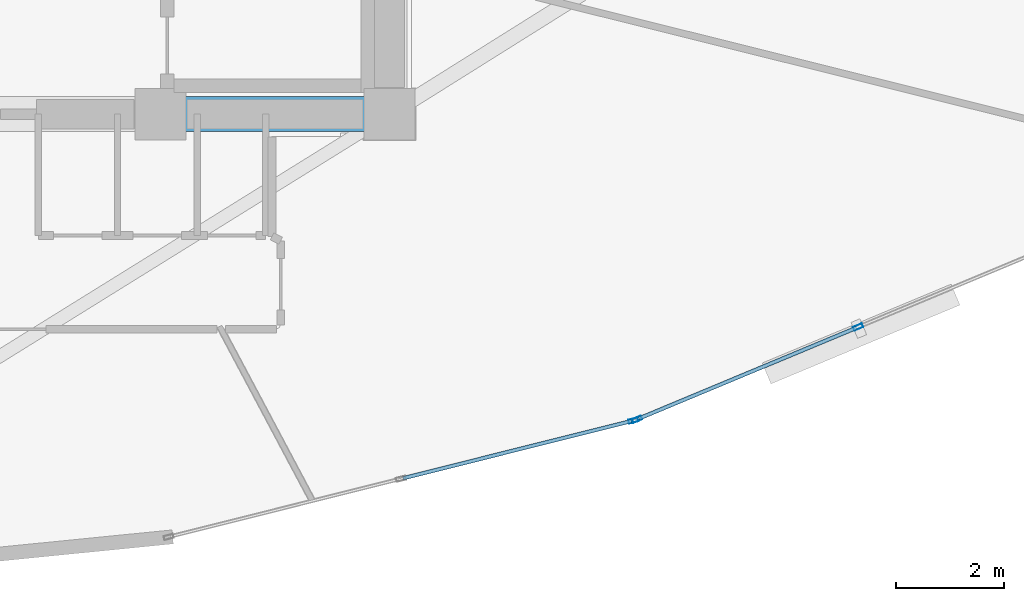
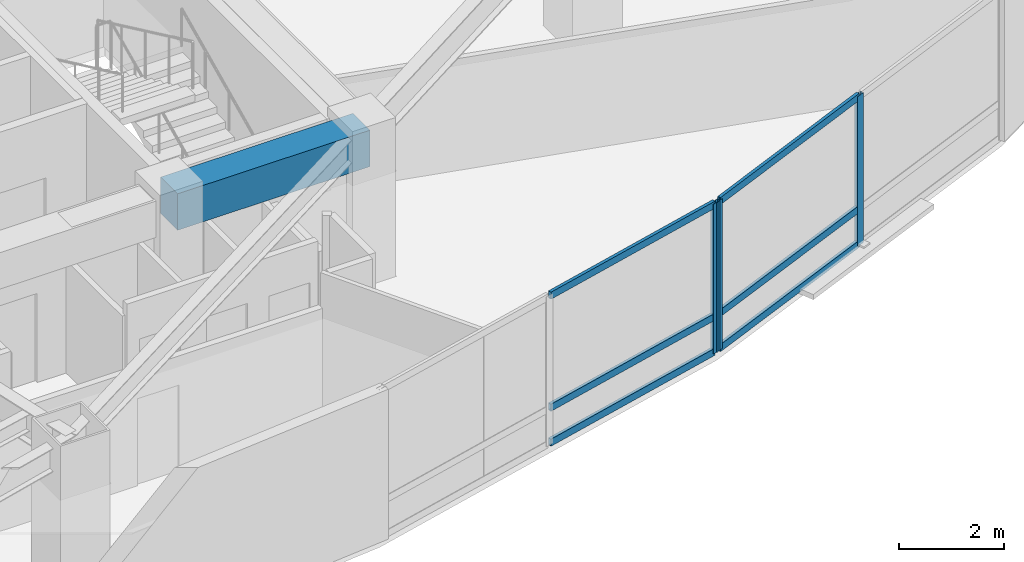
# One storey, part 5 of 18: 9 members, 1 beam, 2 elements without a shape of their own.
"""IFC4 building model written with IfcOpenShell, lengths in metres."""

import ifcopenshell
import ifcopenshell.guid

model = None  # the IFC model being written
_history = None  # IfcOwnerHistory: only IFC2X3 demands one
_inside = {}  # id of a spatial element -> (the spatial element, [elements in it])
_under = {}  # id of a project, library or spatial element -> (it, [spatial elements below it])
_declared = {}  # id of a project -> (the project, [libraries it declares])
_typed = {}  # id of a type object -> (the type object, [elements of that type])
_made_of = {}  # id of a material, layer set ... -> (it, [elements and type objects made of it])


def new_model(schema):
    """Start an empty IFC model of exactly this schema.

    Asked for "IFC4X3", IfcOpenShell would pick the latest addendum, in which some entities
    have other attributes; the version numbers below select the first issue.
    IFC2X3 requires an IfcOwnerHistory on every rooted entity: one is made here for all.
    """
    global model, _history
    if schema == "IFC4X3":
        model = ifcopenshell.file(schema_version=(4, 3, 0, 0))
    else:
        model = ifcopenshell.file(schema=schema)
    _inside.clear()
    _under.clear()
    _declared.clear()
    _typed.clear()
    _made_of.clear()
    _history = None
    if model.schema == "IFC2X3":
        org = make("IfcOrganization", Name="unknown")
        user = make(
            "IfcPersonAndOrganization",
            ThePerson=make("IfcPerson", FamilyName="unknown"),
            TheOrganization=org,
        )
        app = make(
            "IfcApplication",
            ApplicationDeveloper=org,
            Version="unknown",
            ApplicationFullName="unknown",
            ApplicationIdentifier="unknown",
        )
        _history = make(
            "IfcOwnerHistory",
            OwningUser=user,
            OwningApplication=app,
            ChangeAction="ADDED",
            CreationDate=0,
        )
    return model


def make(cls, **values):
    """One entity of the class cls with the attributes given. An attribute that is None is left unset."""
    return model.create_entity(
        cls, **{name: value for name, value in values.items() if value is not None}
    )


def rooted(cls, **values):
    """An entity with a GlobalId (a new one), such as an element, a storey or a relation."""
    return make(cls, GlobalId=ifcopenshell.guid.new(), OwnerHistory=_history, **values)


def si_unit(unit_type, name, prefix=None):
    """IfcSIUnit, for example si_unit("LENGTHUNIT", "METRE", prefix="MILLI")."""
    return make("IfcSIUnit", UnitType=unit_type, Prefix=prefix, Name=name)


def assignment(units):
    """IfcUnitAssignment: the units of a project."""
    return None if units is None else make("IfcUnitAssignment", Units=units)


def point(xyz):
    """IfcCartesianPoint."""
    return None if xyz is None else make("IfcCartesianPoint", Coordinates=xyz)


def direction(xyz):
    """IfcDirection."""
    return None if xyz is None else make("IfcDirection", DirectionRatios=xyz)


def frame(location, z_axis=None, x_axis=None):
    """IfcAxis2Placement3D, a coordinate frame: its origin and axes. An axis left out is left unset."""
    return make(
        "IfcAxis2Placement3D",
        Location=point(location),
        Axis=direction(z_axis),
        RefDirection=direction(x_axis),
    )


def frame_2d(location, x_axis=None):
    """IfcAxis2Placement2D, a coordinate frame in the plane: its origin and x axis."""
    return make(
        "IfcAxis2Placement2D", Location=point(location), RefDirection=direction(x_axis)
    )


def origin():
    """The frame at (0, 0, 0) with its axes left unset."""
    return frame((0.0, 0.0, 0.0))


def origin_2d():
    """The frame at (0, 0) in the plane with its x axis left unset."""
    return frame_2d((0.0, 0.0))


def place(relative_to, where):
    """IfcLocalPlacement: puts the frame where relative to a parent placement (None: the world)."""
    return make(
        "IfcLocalPlacement", PlacementRelTo=relative_to, RelativePlacement=where
    )


def context(
    kind, dimensions, precision=None, world=None, true_north=None, identifier=None
):
    """IfcGeometricRepresentationContext, for example the 3D "Model" context."""
    return make(
        "IfcGeometricRepresentationContext",
        ContextIdentifier=identifier,
        ContextType=kind,
        CoordinateSpaceDimension=dimensions,
        Precision=precision,
        WorldCoordinateSystem=world,
        TrueNorth=true_north,
    )


def subcontext(parent, identifier, kind, view, scale=None):
    """IfcGeometricRepresentationSubContext, for example "Body" below "Model"."""
    return make(
        "IfcGeometricRepresentationSubContext",
        ContextIdentifier=identifier,
        ContextType=kind,
        ParentContext=parent,
        TargetScale=scale,
        TargetView=view,
    )


def project(units=None, contexts=None):
    """IfcProject with its units and contexts."""
    return rooted(
        "IfcProject",
        Name="project",
        RepresentationContexts=contexts,
        UnitsInContext=assignment(units),
    )


def spatial(cls, under=None, at=None, **own):
    """A site, building, storey or space (cls), placed at a placement, below another one or the project."""
    s = rooted(cls, ObjectPlacement=at, **own)
    if under is not None:
        _under.setdefault(under.id(), (under, []))[1].append(s)
    return s


def profile(cls, at=None, kind="AREA", **sizes):
    """A parametric profile (cls). Its sizes go by their IFC names, for example OverallWidth=200.0."""
    return make(cls, ProfileType=kind, Position=at, **sizes)


def rectangle(**sizes):
    """IfcRectangleProfileDef."""
    return profile("IfcRectangleProfileDef", **sizes)


def hollow_rectangle(**sizes):
    """IfcRectangleHollowProfileDef."""
    return profile("IfcRectangleHollowProfileDef", **sizes)


def extrude(swept, where, along, depth):
    """IfcExtrudedAreaSolid: the profile swept, set in the frame where, extruded along a direction by depth."""
    return make(
        "IfcExtrudedAreaSolid",
        SweptArea=swept,
        Position=where,
        ExtrudedDirection=direction(along),
        Depth=depth,
    )


def shape(context_of_items, identifier, shape_type, items):
    """IfcShapeRepresentation: the items that make up one representation, for example the "Body"."""
    return make(
        "IfcShapeRepresentation",
        ContextOfItems=context_of_items,
        RepresentationIdentifier=identifier,
        RepresentationType=shape_type,
        Items=items,
    )


def material(Name=None, Category=None):
    """IfcMaterial."""
    return make("IfcMaterial", Name=Name, Category=Category)


def layer(
    of_material, thickness, ventilated=None, Name=None, Category=None, Priority=None
):
    """IfcMaterialLayer: one layer of a wall or slab, of a material (None: an air gap)."""
    return make(
        "IfcMaterialLayer",
        Material=of_material,
        LayerThickness=thickness,
        IsVentilated=ventilated,
        Name=Name,
        Category=Category,
        Priority=Priority,
    )


def layer_set(layers, Name=None):
    """IfcMaterialLayerSet."""
    return make("IfcMaterialLayerSet", MaterialLayers=layers, LayerSetName=Name)


def material_profile(
    of_material, cross_section, Name=None, Category=None, Priority=None
):
    """IfcMaterialProfile: a cross section and its material."""
    return make(
        "IfcMaterialProfile",
        Name=Name,
        Material=of_material,
        Profile=cross_section,
        Priority=Priority,
        Category=Category,
    )


def profile_set(profiles, Name=None, composite=None):
    """IfcMaterialProfileSet."""
    return make(
        "IfcMaterialProfileSet",
        Name=Name,
        MaterialProfiles=profiles,
        CompositeProfile=composite,
    )


def made_of(thing, what):
    """Note that an element or type object is made of a material, layer set ...; save() writes the relation."""
    if what is not None:
        _made_of.setdefault(what.id(), (what, []))[1].append(thing)
    return thing


def type_object(cls, material=None, **own):
    """A type object (cls), such as IfcWallType, which elements share."""
    return made_of(rooted(cls, **own), material)


def element(
    cls,
    number,
    at=None,
    inside=None,
    cuts=None,
    type_object=None,
    material=None,
    context=None,
    identifier="Body",
    shape_type=None,
    held_by="IfcProductDefinitionShape",
    body=None,
    shapes=None,
    **own,
):
    """One element of the class cls, such as IfcWall. Its Tag is "e" and its number.

    at: its placement. inside: the storey or other place that contains it. cuts: it is an
    opening in that element (IfcRelVoidsElement). A single representation is given by context,
    identifier, shape_type and body (its items); several are given by shapes. held_by: the class
    of the entity that holds the representations. save() writes the other relations.
    """
    e = rooted(cls, Tag="e%d" % number, ObjectPlacement=at, **own)
    if body is not None:
        shapes = [shape(context, identifier, shape_type, body)]
    if shapes is not None:
        e.Representation = make(held_by, Representations=shapes)
    if inside is not None:
        _inside.setdefault(inside.id(), (inside, []))[1].append(e)
    if cuts is not None:
        rooted(
            "IfcRelVoidsElement", RelatingBuildingElement=cuts, RelatedOpeningElement=e
        )
    if type_object is not None:
        _typed.setdefault(type_object.id(), (type_object, []))[1].append(e)
    return made_of(e, material)


def aggregate(whole, parts):
    """IfcRelAggregates: a whole, such as a stair, and the parts it consists of."""
    return rooted("IfcRelAggregates", RelatingObject=whole, RelatedObjects=parts)


def save(model, path):
    """Write the relations noted so far, then the file.

    IfcRelAggregates (storeys below a building ...), IfcRelContainedInSpatialStructure (elements
    in a storey), IfcRelDefinesByType, IfcRelAssociatesMaterial and IfcRelDeclares: one each for
    every whole, place, type object, material and project.
    """
    for whole, parts in _under.values():
        aggregate(whole, parts)
    for where, things in _inside.values():
        rooted(
            "IfcRelContainedInSpatialStructure",
            RelatedElements=things,
            RelatingStructure=where,
        )
    for kind, things in _typed.values():
        rooted("IfcRelDefinesByType", RelatedObjects=things, RelatingType=kind)
    for what, things in _made_of.values():
        rooted("IfcRelAssociatesMaterial", RelatedObjects=things, RelatingMaterial=what)
    for by, libraries in _declared.values():
        rooted("IfcRelDeclares", RelatingContext=by, RelatedDefinitions=libraries)
    model.write(path)


model = new_model("IFC4")

# Units and contexts
model_context = context("Model", 3, precision=1e-05, world=origin(), true_north=direction((0.0, 1.0)))
body_context = subcontext(model_context, "Body", "Model", "MODEL_VIEW")
ifc_project = project(units=[si_unit("LENGTHUNIT", "METRE"), si_unit("AREAUNIT", "SQUARE_METRE"), si_unit("VOLUMEUNIT", "CUBIC_METRE"), si_unit("PLANEANGLEUNIT", "RADIAN"), si_unit("MASSUNIT", "GRAM", prefix="KILO")], contexts=[model_context])

# Site, building, storey
site_placement = place(None, origin())
site = spatial("IfcSite", under=ifc_project, at=site_placement, CompositionType="ELEMENT")
building_placement = place(site_placement, origin())
building = spatial("IfcBuilding", under=site, at=building_placement, Name="Menara Vayukalpa", CompositionType="ELEMENT")
storey_placement = place(building_placement, frame((0.0, 0.0, 158.0400390625)))
storey = spatial("IfcBuildingStorey", under=building, at=storey_placement, Name="L39", CompositionType="ELEMENT", Elevation=158.0400390625)

# Beam
ifc_material_1 = material(Name="Concrete C60/75", Category="concrete")
ifc_material_profile_1 = material_profile(ifc_material_1, rectangle(XDim=0.64990234375, YDim=0.85009765625, at=origin_2d()), Name="RC 650x850")
ifc_profile_set_1 = profile_set([ifc_material_profile_1], Name="Concrete C60/75")
beam_type = type_object("IfcBeamType", Name="BM-CB1", PredefinedType="BEAM", material=ifc_profile_set_1)
beam_placement = place(storey_placement, frame((29.14990234375, 17.199951171875, 3.074951171875), z_axis=(1.0, 0.0, 0.0), x_axis=(0.0, 1.0, 0.0)))
element("IfcBeam", 1, at=beam_placement, inside=storey, type_object=beam_type, Name="L39 Core Tie Beam CBR3", PredefinedType="BEAM", context=body_context, shape_type="SweptSolid", body=[
    extrude(rectangle(XDim=0.64990234375, YDim=0.85009765625, at=origin_2d()), origin(), (0.0, 0.0, 1.0), 4.25),
])

# Curtain wall, member
ifc_material_2 = material(Name="Anodised Terracotta Aluminium Alloy 6063-T6", Category="masonry")
ifc_layer = layer(ifc_material_2, 0.179931640625)
ifc_layer_set = layer_set([ifc_layer], Name="Anodised Terracotta Aluminium Alloy 6063-T6")
curtain_wall_type = type_object("IfcCurtainWallType", Name="CW-CW4", PredefinedType="USERDEFINED", material=ifc_layer_set)
curtain_wall_1_placement = place(storey_placement, origin())
curtain_wall_1 = element("IfcCurtainWall", 2, at=curtain_wall_1_placement, inside=storey, type_object=curtain_wall_type, Name="L39 Sky Bar Cantilever Glazed Curtain Wall CW4 16", ObjectType="UNITISED", PredefinedType="USERDEFINED")
ifc_material_3 = material(Name="Anodised Terracotta Aluminium Alloy 6063-T6", Category="masonry")
ifc_material_profile_2 = material_profile(ifc_material_3, hollow_rectangle(XDim=0.074951171875, YDim=0.179931640625, WallThickness=0.00390625, at=origin_2d()), Name="ALU 75x180x4")
ifc_profile_set_2 = profile_set([ifc_material_profile_2], Name="Anodised Terracotta Aluminium Alloy 6063-T6")
member_type_1 = type_object("IfcMemberType", Name="CWM-CW4", PredefinedType="MULLION", material=ifc_profile_set_2)
member_1_placement = place(storey_placement, frame((37.92529296875, 11.51318359375, 0.0), z_axis=(0.0, 0.0, 1.0), x_axis=(-0.243112993066, 0.969997975566, 0.0)))
member_1 = element("IfcMember", 3, at=member_1_placement, type_object=member_type_1, Name="CW4 mullion 3", PredefinedType="MULLION", context=body_context, shape_type="SweptSolid", body=[
    extrude(hollow_rectangle(XDim=0.074951171875, YDim=0.179931640625, WallThickness=0.00390625, at=origin_2d()), origin(), (0.0, 0.0, 1.0), 3.5),
])

# Curtain wall, members
curtain_wall_2_placement = place(storey_placement, origin())
curtain_wall_2 = element("IfcCurtainWall", 4, at=curtain_wall_2_placement, inside=storey, type_object=curtain_wall_type, Name="L39 Sky Bar Cantilever Glazed Curtain Wall CW4 17", ObjectType="UNITISED", PredefinedType="USERDEFINED")
member_2_placement = place(storey_placement, frame((37.996337890625, 11.536865234375, 0.0), z_axis=(0.0, 0.0, 1.0), x_axis=(-0.385091352437, 0.922878459104, 0.0)))
member_2 = element("IfcMember", 5, at=member_2_placement, type_object=member_type_1, Name="CW4 mullion 1", PredefinedType="MULLION", context=body_context, shape_type="SweptSolid", body=[
    extrude(hollow_rectangle(XDim=0.074951171875, YDim=0.179931640625, WallThickness=0.00390625, at=origin_2d()), origin(), (0.0, 0.0, 1.0), 3.5),
])
member_3_placement = place(storey_placement, frame((42.098388671875, 13.24853515625, 0.0), z_axis=(0.0, 0.0, 1.0), x_axis=(-0.385091352437, 0.922878459104, 0.0)))
member_3 = element("IfcMember", 6, at=member_3_placement, type_object=member_type_1, Name="CW4 mullion 2", PredefinedType="MULLION", context=body_context, shape_type="SweptSolid", body=[
    extrude(hollow_rectangle(XDim=0.074951171875, YDim=0.179931640625, WallThickness=0.00390625, at=origin_2d()), origin(), (0.0, 0.0, 1.0), 3.5),
])

# Member
ifc_material_4 = material(Name="Anodised Terracotta Aluminium Alloy 6063-T6", Category="masonry")
ifc_material_profile_3 = material_profile(ifc_material_4, hollow_rectangle(XDim=0.070068359375, YDim=0.1650390625, WallThickness=0.00390625, at=origin_2d()), Name="ALU 70x165x4")
ifc_profile_set_3 = profile_set([ifc_material_profile_3], Name="Anodised Terracotta Aluminium Alloy 6063-T6")
member_type_2 = type_object("IfcMemberType", Name="CWT-CW4", PredefinedType="USERDEFINED", material=ifc_profile_set_3)
member_4_placement = place(storey_placement, frame((33.650146484375, 10.441650390625, 0.034912109375), z_axis=(0.969991137753, 0.243140273672, 0.0), x_axis=(-0.243140273672, 0.969991137753, 0.0)))
member_4 = element("IfcMember", 7, at=member_4_placement, type_object=member_type_2, Name="CW4 transom 2.1", ObjectType="TRANSOM", PredefinedType="USERDEFINED", context=body_context, shape_type="SweptSolid", body=[
    extrude(hollow_rectangle(XDim=0.070068359375, YDim=0.1650390625, WallThickness=0.00390625, at=origin_2d()), origin(), (0.0, 0.0, 1.0), 4.369873046875),
])

member_5_placement = place(storey_placement, frame((33.650146484375, 10.441650390625, 0.849853515625), z_axis=(0.969991137753, 0.243140273672, 0.0), x_axis=(-0.243140273672, 0.969991137753, 0.0)))
member_5 = element("IfcMember", 8, at=member_5_placement, type_object=member_type_2, Name="CW4 transom 2.2", ObjectType="TRANSOM", PredefinedType="USERDEFINED", context=body_context, shape_type="SweptSolid", body=[
    extrude(hollow_rectangle(XDim=0.070068359375, YDim=0.1650390625, WallThickness=0.00390625, at=origin_2d()), origin(), (0.0, 0.0, 1.0), 4.369873046875),
])

member_6_placement = place(storey_placement, frame((33.650146484375, 10.441650390625, 3.46484375), z_axis=(0.969991137753, 0.243140273672, 0.0), x_axis=(-0.243140273672, 0.969991137753, 0.0)))
member_6 = element("IfcMember", 9, at=member_6_placement, type_object=member_type_2, Name="CW4 transom 2.3", ObjectType="TRANSOM", PredefinedType="USERDEFINED", context=body_context, shape_type="SweptSolid", body=[
    extrude(hollow_rectangle(XDim=0.070068359375, YDim=0.1650390625, WallThickness=0.00390625, at=origin_2d()), origin(), (0.0, 0.0, 1.0), 4.369873046875),
])

aggregate(curtain_wall_1, [member_1, member_4, member_5, member_6])

member_7_placement = place(storey_placement, frame((38.031005859375, 11.55126953125, 0.034912109375), z_axis=(0.922868513183, 0.385115187152, 0.0), x_axis=(-0.385115187152, 0.922868513183, 0.0)))
member_7 = element("IfcMember", 10, at=member_7_placement, type_object=member_type_2, Name="CW4 transom 1.1", ObjectType="TRANSOM", PredefinedType="USERDEFINED", context=body_context, shape_type="SweptSolid", body=[
    extrude(hollow_rectangle(XDim=0.070068359375, YDim=0.1650390625, WallThickness=0.00390625, at=origin_2d()), origin(), (0.0, 0.0, 1.0), 4.369873046875),
])

member_8_placement = place(storey_placement, frame((38.031005859375, 11.55126953125, 0.849853515625), z_axis=(0.922868513183, 0.385115187152, 0.0), x_axis=(-0.385115187152, 0.922868513183, 0.0)))
member_8 = element("IfcMember", 11, at=member_8_placement, type_object=member_type_2, Name="CW4 transom 1.2", ObjectType="TRANSOM", PredefinedType="USERDEFINED", context=body_context, shape_type="SweptSolid", body=[
    extrude(hollow_rectangle(XDim=0.070068359375, YDim=0.1650390625, WallThickness=0.00390625, at=origin_2d()), origin(), (0.0, 0.0, 1.0), 4.369873046875),
])

member_9_placement = place(storey_placement, frame((38.031005859375, 11.55126953125, 3.46484375), z_axis=(0.922868513183, 0.385115187152, 0.0), x_axis=(-0.385115187152, 0.922868513183, 0.0)))
member_9 = element("IfcMember", 12, at=member_9_placement, type_object=member_type_2, Name="CW4 transom 1.3", ObjectType="TRANSOM", PredefinedType="USERDEFINED", context=body_context, shape_type="SweptSolid", body=[
    extrude(hollow_rectangle(XDim=0.070068359375, YDim=0.1650390625, WallThickness=0.00390625, at=origin_2d()), origin(), (0.0, 0.0, 1.0), 4.369873046875),
])

aggregate(curtain_wall_2, [member_2, member_3, member_7, member_8, member_9])

save(model, "model.ifc")
